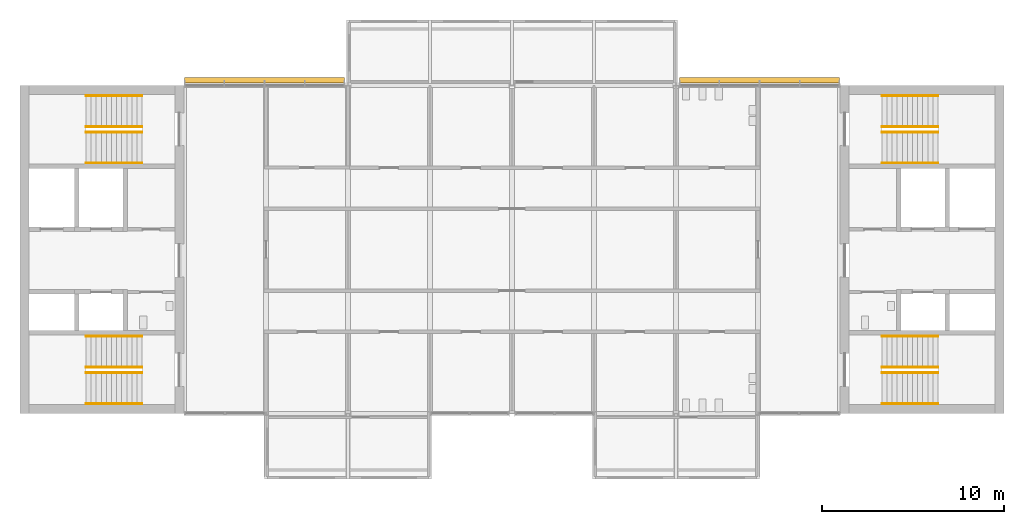
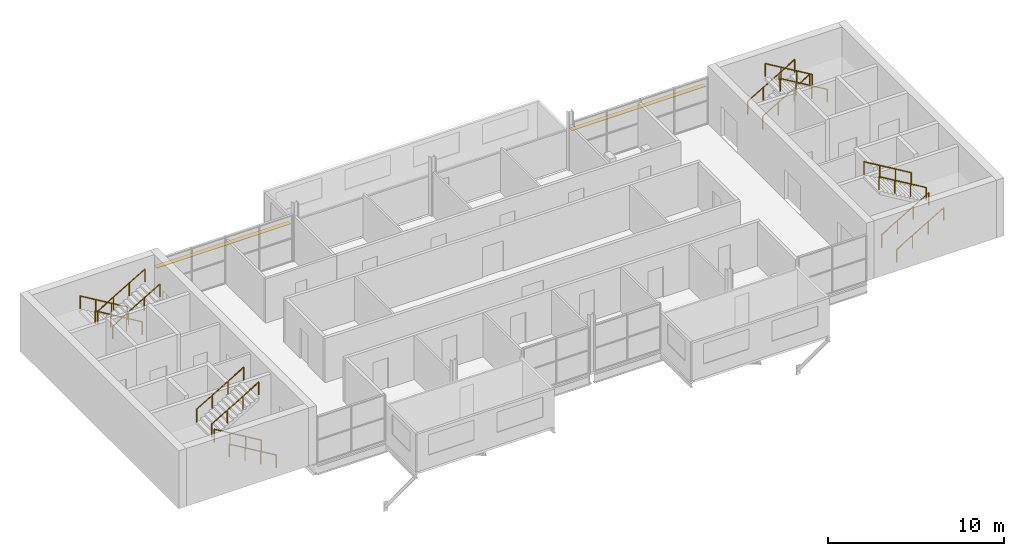
# One storey, part 11 of 12: 16 railings, 2 shading devices.
"""IFC4 building model written with IfcOpenShell, lengths in metres."""

from ifc_helpers import new_model, si_unit, direction, frame, origin, origin_2d, place, context, subcontext, project, spatial, rectangle, circle, extrude, material, layer, layer_set, type_object, element, save


model = new_model("IFC4")

# Units and contexts
model_context = context("Model", 3, precision=1e-05, world=origin(), true_north=direction((0.0, 1.0)))
body_context = subcontext(model_context, "Body", "Model", "MODEL_VIEW")
ifc_project = project(units=[si_unit("LENGTHUNIT", "METRE"), si_unit("AREAUNIT", "SQUARE_METRE"), si_unit("VOLUMEUNIT", "CUBIC_METRE"), si_unit("PLANEANGLEUNIT", "RADIAN"), si_unit("MASSUNIT", "GRAM", prefix="KILO")], contexts=[model_context])

# Site, building, storey
site_placement = place(None, origin())
site = spatial("IfcSite", under=ifc_project, at=site_placement, CompositionType="ELEMENT")
building_placement = place(site_placement, origin())
building = spatial("IfcBuilding", under=site, at=building_placement, Name="Corbel Yard City Hall", CompositionType="ELEMENT")
storey_placement = place(building_placement, frame((0.0, 0.0, 55.199951171875)))
storey = spatial("IfcBuildingStorey", under=building, at=storey_placement, Name="L13", CompositionType="ELEMENT", Elevation=55.199951171875)

# Railings
ifc_material_1 = material(Name="Stainless steel Grade 316", Category="steel")
railing_type = type_object("IfcRailingType", Name="HR1", PredefinedType="HANDRAIL", material=ifc_material_1)
for number, where, name in (
    (1, (6.699951171875, 99.550048828125, 0.166748046875), "Exit stair ST-W1 handrail"),
    (2, (6.699951171875, 101.25, 0.166748046875), "Exit stair ST-W1 handrail"),
):
    element("IfcRailing", number, at=place(storey_placement, frame(where)), inside=storey, type_object=railing_type, Name=name, PredefinedType="HANDRAIL", context=body_context, shape_type="SweptSolid", body=[
        extrude(circle(Radius=0.02392578125, at=origin_2d()), frame((0.0, 0.0, 0.8759765625), z_axis=(-0.859290745958, 0.0, 0.51148745235), x_axis=(0.0, -1.0, 0.0)), (0.0, 0.0, 1.0), 3.584228515625),
        extrude(circle(Radius=0.02099609375, at=origin_2d()), origin(), (0.0, 0.0, 1.0), 0.851806640625),
        extrude(circle(Radius=0.02099609375, at=origin_2d()), frame((-1.026611328125, 0.0, 0.611083984375)), (0.0, 0.0, 1.0), 0.851806640625),
        extrude(circle(Radius=0.02099609375, at=origin_2d()), frame((-2.05322265625, 0.0, 1.22216796875)), (0.0, 0.0, 1.0), 0.851806640625),
        extrude(circle(Radius=0.02099609375, at=origin_2d()), frame((-3.079833984375, 0.0, 1.833251953125)), (0.0, 0.0, 1.0), 0.851806640625),
    ])
for number, where, name in (
    (3, (3.6201171875, 101.550048828125, 2.166748046875), "Exit stair ST-W1 handrail"),
    (4, (3.6201171875, 103.25, 2.166748046875), "Exit stair ST-W1 handrail"),
):
    element("IfcRailing", number, at=place(storey_placement, frame(where)), inside=storey, type_object=railing_type, Name=name, PredefinedType="HANDRAIL", context=body_context, shape_type="SweptSolid", body=[
        extrude(circle(Radius=0.02392578125, at=origin_2d()), frame((0.0, 0.0, 0.8759765625), z_axis=(0.859290745958, 0.0, 0.51148745235), x_axis=(0.0, 1.0, 0.0)), (0.0, 0.0, 1.0), 3.584228515625),
        extrude(circle(Radius=0.02099609375, at=origin_2d()), origin(), (0.0, 0.0, 1.0), 0.851806640625),
        extrude(circle(Radius=0.02099609375, at=origin_2d()), frame((1.026611328125, 0.0, 0.611083984375)), (0.0, 0.0, 1.0), 0.851806640625),
        extrude(circle(Radius=0.02099609375, at=origin_2d()), frame((2.05322265625, 0.0, 1.22216796875)), (0.0, 0.0, 1.0), 0.851806640625),
        extrude(circle(Radius=0.02099609375, at=origin_2d()), frame((3.079833984375, 0.0, 1.833251953125)), (0.0, 0.0, 1.0), 0.851806640625),
    ])
for number, where, name in (
    (5, (6.699951171875, 116.449951171875, 0.166748046875), "Exit stair ST-W2 handrail"),
    (6, (6.699951171875, 114.75, 0.166748046875), "Exit stair ST-W2 handrail"),
):
    element("IfcRailing", number, at=place(storey_placement, frame(where)), inside=storey, type_object=railing_type, Name=name, PredefinedType="HANDRAIL", context=body_context, shape_type="SweptSolid", body=[
        extrude(circle(Radius=0.02392578125, at=origin_2d()), frame((0.0, 0.0, 0.8759765625), z_axis=(-0.859290745958, 0.0, 0.51148745235), x_axis=(0.0, -1.0, 0.0)), (0.0, 0.0, 1.0), 3.584228515625),
        extrude(circle(Radius=0.02099609375, at=origin_2d()), origin(), (0.0, 0.0, 1.0), 0.851806640625),
        extrude(circle(Radius=0.02099609375, at=origin_2d()), frame((-1.026611328125, 0.0, 0.611083984375)), (0.0, 0.0, 1.0), 0.851806640625),
        extrude(circle(Radius=0.02099609375, at=origin_2d()), frame((-2.05322265625, 0.0, 1.22216796875)), (0.0, 0.0, 1.0), 0.851806640625),
        extrude(circle(Radius=0.02099609375, at=origin_2d()), frame((-3.079833984375, 0.0, 1.833251953125)), (0.0, 0.0, 1.0), 0.851806640625),
    ])
for number, where, name in (
    (7, (3.6201171875, 114.449951171875, 2.166748046875), "Exit stair ST-W2 handrail"),
    (8, (3.6201171875, 112.75, 2.166748046875), "Exit stair ST-W2 handrail"),
    (9, (47.300048828125, 99.550048828125, 0.166748046875), "Exit stair ST-E1 handrail"),
    (10, (47.300048828125, 101.25, 0.166748046875), "Exit stair ST-E1 handrail"),
):
    element("IfcRailing", number, at=place(storey_placement, frame(where)), inside=storey, type_object=railing_type, Name=name, PredefinedType="HANDRAIL", context=body_context, shape_type="SweptSolid", body=[
        extrude(circle(Radius=0.02392578125, at=origin_2d()), frame((0.0, 0.0, 0.8759765625), z_axis=(0.859290745958, 0.0, 0.51148745235), x_axis=(0.0, 1.0, 0.0)), (0.0, 0.0, 1.0), 3.584228515625),
        extrude(circle(Radius=0.02099609375, at=origin_2d()), origin(), (0.0, 0.0, 1.0), 0.851806640625),
        extrude(circle(Radius=0.02099609375, at=origin_2d()), frame((1.026611328125, 0.0, 0.611083984375)), (0.0, 0.0, 1.0), 0.851806640625),
        extrude(circle(Radius=0.02099609375, at=origin_2d()), frame((2.05322265625, 0.0, 1.22216796875)), (0.0, 0.0, 1.0), 0.851806640625),
        extrude(circle(Radius=0.02099609375, at=origin_2d()), frame((3.079833984375, 0.0, 1.833251953125)), (0.0, 0.0, 1.0), 0.851806640625),
    ])
for number, where, name in (
    (11, (50.3798828125, 101.550048828125, 2.166748046875), "Exit stair ST-E1 handrail"),
    (12, (50.3798828125, 103.25, 2.166748046875), "Exit stair ST-E1 handrail"),
):
    element("IfcRailing", number, at=place(storey_placement, frame(where)), inside=storey, type_object=railing_type, Name=name, PredefinedType="HANDRAIL", context=body_context, shape_type="SweptSolid", body=[
        extrude(circle(Radius=0.02392578125, at=origin_2d()), frame((0.0, 0.0, 0.8759765625), z_axis=(-0.859290745958, 0.0, 0.51148745235), x_axis=(0.0, -1.0, 0.0)), (0.0, 0.0, 1.0), 3.584228515625),
        extrude(circle(Radius=0.02099609375, at=origin_2d()), origin(), (0.0, 0.0, 1.0), 0.851806640625),
        extrude(circle(Radius=0.02099609375, at=origin_2d()), frame((-1.026611328125, 0.0, 0.611083984375)), (0.0, 0.0, 1.0), 0.851806640625),
        extrude(circle(Radius=0.02099609375, at=origin_2d()), frame((-2.05322265625, 0.0, 1.22216796875)), (0.0, 0.0, 1.0), 0.851806640625),
        extrude(circle(Radius=0.02099609375, at=origin_2d()), frame((-3.079833984375, 0.0, 1.833251953125)), (0.0, 0.0, 1.0), 0.851806640625),
    ])
for number, where, name in (
    (13, (47.300048828125, 116.449951171875, 0.166748046875), "Exit stair ST-E2 handrail"),
    (14, (47.300048828125, 114.75, 0.166748046875), "Exit stair ST-E2 handrail"),
):
    element("IfcRailing", number, at=place(storey_placement, frame(where)), inside=storey, type_object=railing_type, Name=name, PredefinedType="HANDRAIL", context=body_context, shape_type="SweptSolid", body=[
        extrude(circle(Radius=0.02392578125, at=origin_2d()), frame((0.0, 0.0, 0.8759765625), z_axis=(0.859290745958, 0.0, 0.51148745235), x_axis=(0.0, 1.0, 0.0)), (0.0, 0.0, 1.0), 3.584228515625),
        extrude(circle(Radius=0.02099609375, at=origin_2d()), origin(), (0.0, 0.0, 1.0), 0.851806640625),
        extrude(circle(Radius=0.02099609375, at=origin_2d()), frame((1.026611328125, 0.0, 0.611083984375)), (0.0, 0.0, 1.0), 0.851806640625),
        extrude(circle(Radius=0.02099609375, at=origin_2d()), frame((2.05322265625, 0.0, 1.22216796875)), (0.0, 0.0, 1.0), 0.851806640625),
        extrude(circle(Radius=0.02099609375, at=origin_2d()), frame((3.079833984375, 0.0, 1.833251953125)), (0.0, 0.0, 1.0), 0.851806640625),
    ])
for number, where, name in (
    (15, (50.3798828125, 114.449951171875, 2.166748046875), "Exit stair ST-E2 handrail"),
    (16, (50.3798828125, 112.75, 2.166748046875), "Exit stair ST-E2 handrail"),
):
    element("IfcRailing", number, at=place(storey_placement, frame(where)), inside=storey, type_object=railing_type, Name=name, PredefinedType="HANDRAIL", context=body_context, shape_type="SweptSolid", body=[
        extrude(circle(Radius=0.02392578125, at=origin_2d()), frame((0.0, 0.0, 0.8759765625), z_axis=(-0.859290745958, 0.0, 0.51148745235), x_axis=(0.0, -1.0, 0.0)), (0.0, 0.0, 1.0), 3.584228515625),
        extrude(circle(Radius=0.02099609375, at=origin_2d()), origin(), (0.0, 0.0, 1.0), 0.851806640625),
        extrude(circle(Radius=0.02099609375, at=origin_2d()), frame((-1.026611328125, 0.0, 0.611083984375)), (0.0, 0.0, 1.0), 0.851806640625),
        extrude(circle(Radius=0.02099609375, at=origin_2d()), frame((-2.05322265625, 0.0, 1.22216796875)), (0.0, 0.0, 1.0), 0.851806640625),
        extrude(circle(Radius=0.02099609375, at=origin_2d()), frame((-3.079833984375, 0.0, 1.833251953125)), (0.0, 0.0, 1.0), 0.851806640625),
    ])

# Shading devices
ifc_material_2 = material(Name="Anodised aluminium", Category="aluminium")
ifc_layer = layer(ifc_material_2, 0.0400390625)
ifc_layer_set = layer_set([ifc_layer], Name="Anodised aluminium")
shading_device_type = type_object("IfcShadingDeviceType", Name="LV1", PredefinedType="JALOUSIE", material=ifc_layer_set)
for number, where, z_axis, x_axis, name in (
    (17, (13.418212890625, 117.2900390625, 2.45849609375), (0.0, 0.0, 1.0), (1.0, 0.0, 0.0), "Louvre blade"),
    (18, (40.581787109375, 117.2900390625, 2.45849609375), (0.0, 0.0, 1.0), (1.0, 0.0, 0.0), "Louvre blade"),
):
    element("IfcShadingDevice", number, at=place(storey_placement, frame(where, z_axis=z_axis, x_axis=x_axis)), inside=storey, type_object=shading_device_type, Name=name, PredefinedType="JALOUSIE", context=body_context, shape_type="SweptSolid", body=[
        extrude(rectangle(XDim=8.771484375, YDim=0.300048828125, at=origin_2d()), origin(), (0.0, 0.0, 1.0), 0.0400390625),
    ])

save(model, "model.ifc")
